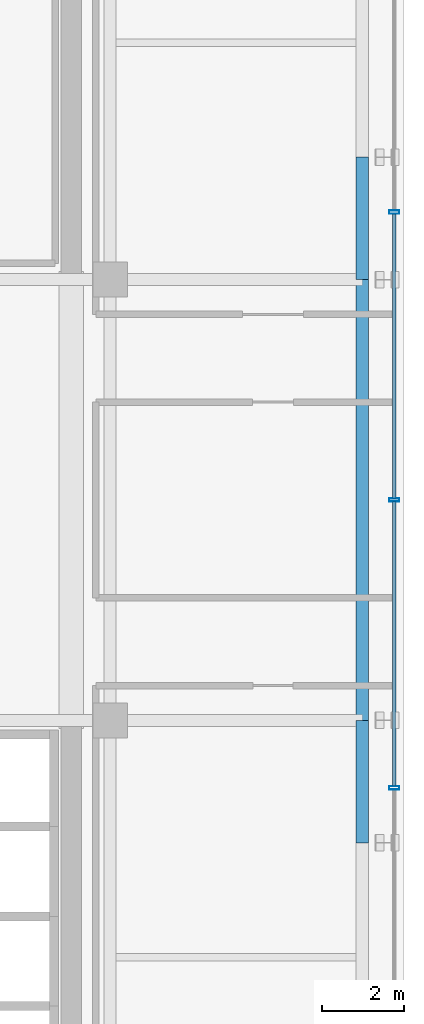
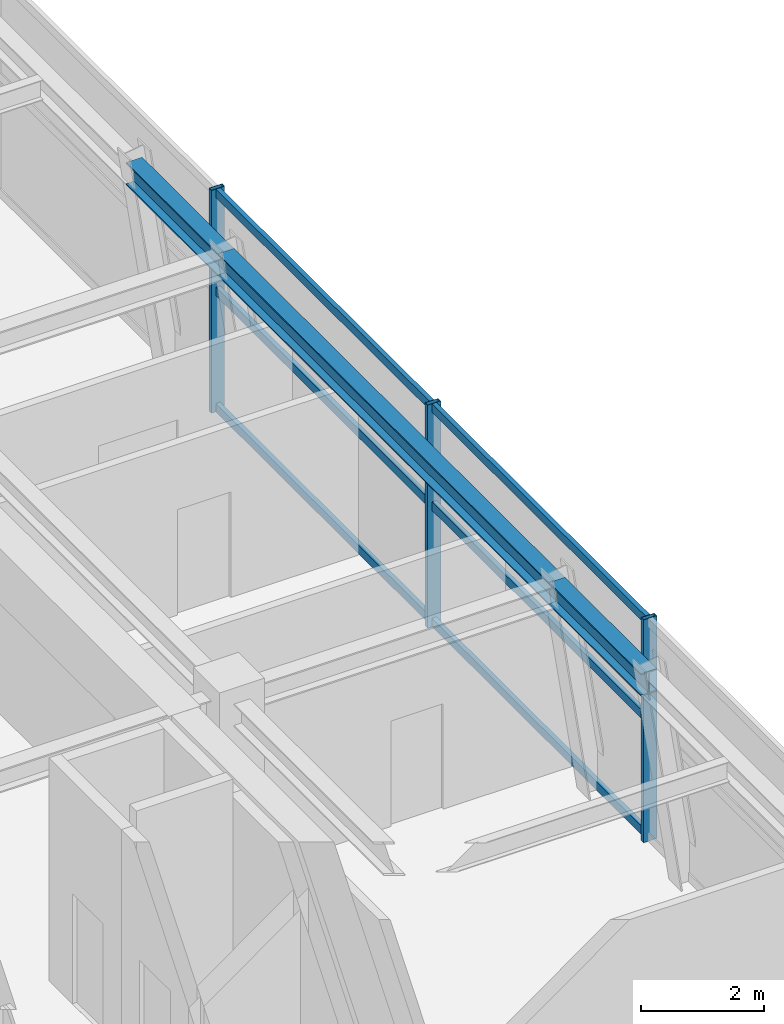
# One storey, part 12 of 28: 9 members, 3 beams, 1 element without a shape of its own.
"""IFC4 building model written with IfcOpenShell, lengths in metres."""

from ifc_helpers import new_model, si_unit, direction, frame, origin, origin_2d, place, context, subcontext, project, spatial, hollow_rectangle, i_section, extrude, source, transform, mapped, material, material_profile, profile_set, type_object, element, aggregate, save


model = new_model("IFC4")

# Units and contexts
model_context = context("Model", 3, precision=1e-05, world=origin(), true_north=direction((0.0, 1.0)))
body_context = subcontext(model_context, "Body", "Model", "MODEL_VIEW")
ifc_project = project(units=[si_unit("LENGTHUNIT", "METRE"), si_unit("AREAUNIT", "SQUARE_METRE"), si_unit("VOLUMEUNIT", "CUBIC_METRE"), si_unit("PLANEANGLEUNIT", "RADIAN"), si_unit("MASSUNIT", "GRAM", prefix="KILO")], contexts=[model_context])

# Site, building, storey
site_placement = place(None, origin())
site = spatial("IfcSite", under=ifc_project, at=site_placement, CompositionType="ELEMENT")
building_placement = place(site_placement, origin())
building = spatial("IfcBuilding", under=site, at=building_placement, Name="Nahalor Promenade Grand Hotel", CompositionType="ELEMENT")
storey_placement = place(building_placement, frame((0.0, 0.0, 256.699951171875)))
storey = spatial("IfcBuildingStorey", under=building, at=storey_placement, Name="L66", CompositionType="ELEMENT", Elevation=256.699951171875)

# Beams
ifc_material_1 = material(Name="Steel S355JR", Category="steel")
ifc_material_profile_1 = material_profile(ifc_material_1, i_section(OverallWidth=0.3, OverallDepth=0.45, WebThickness=0.014, FlangeThickness=0.026, at=origin_2d()), Name="HEB 450")
ifc_profile_set_1 = profile_set([ifc_material_profile_1], Name="Steel S355JR")
beam_type = type_object("IfcBeamType", Name="Beam-Spandrel-HEB450", PredefinedType="SPANDREL", material=ifc_profile_set_1)
shared_shape_1 = source(origin(), body_context, "Body", "SweptSolid", [
    extrude(i_section(OverallWidth=0.3, OverallDepth=0.45, WebThickness=0.014, FlangeThickness=0.026, at=origin_2d()), origin(), (0.0, 0.0, 1.0), 3.0),
])
for number, where, z_axis, x_axis, name in (
    (1, (23.179931640625, -8.39990234375, 4.215087890625), (0.0, 1.0, 0.0), (-1.0, 0.0, 0.0), "BM-L66-SP-E-1"),
    (2, (23.179931640625, 5.39990234375, 4.215087890625), (0.0, 1.0, 0.0), (-1.0, 0.0, 0.0), "BM-L66-SP-E-3"),
):
    element("IfcBeam", number, at=place(storey_placement, frame(where, z_axis=z_axis, x_axis=x_axis)), inside=storey, type_object=beam_type, Name=name, PredefinedType="SPANDREL", context=body_context, shape_type="MappedRepresentation", body=[
        mapped(shared_shape_1, transform((0.0, 0.0, 0.0), scale=1.0)),
    ])
shared_shape_2 = source(origin(), body_context, "Body", "SweptSolid", [
    extrude(i_section(OverallWidth=0.3, OverallDepth=0.45, WebThickness=0.014, FlangeThickness=0.026, at=origin_2d()), origin(), (0.0, 0.0, 1.0), 10.7998046875),
])
beam_placement = place(storey_placement, frame((23.179931640625, -5.39990234375, 4.215087890625), z_axis=(0.0, 1.0, 0.0), x_axis=(-1.0, 0.0, 0.0)))
element("IfcBeam", 3, at=beam_placement, inside=storey, type_object=beam_type, Name="BM-L66-SP-E-2", PredefinedType="SPANDREL", context=body_context, shape_type="MappedRepresentation", body=[
    mapped(shared_shape_2, transform((0.0, 0.0, 0.0), scale=1.0)),
])

# Curtain wall, members
ifc_material_2 = material(Name="Anodised Bronze Aluminium EN AW-6063 T6", Category="aluminium")
curtain_wall_type = type_object("IfcCurtainWallType", Name="CW5 Sky-Lobby & Observation Panoramic Curtain Wall", PredefinedType="USERDEFINED", material=ifc_material_2)
curtain_wall_placement = place(storey_placement, origin())
curtain_wall = element("IfcCurtainWall", 4, at=curtain_wall_placement, inside=storey, type_object=curtain_wall_type, Name="L66 Curtain Wall CW-L66-E-1", ObjectType="UNITISED_CURTAIN_WALL", PredefinedType="USERDEFINED")
ifc_material_profile_2 = material_profile(ifc_material_2, hollow_rectangle(XDim=0.085, YDim=0.25, WallThickness=0.006, at=origin_2d()), Name="CWM 85x250x6")
ifc_profile_set_2 = profile_set([ifc_material_profile_2], Name="Anodised Bronze Aluminium EN AW-6063 T6")
member_type_1 = type_object("IfcMemberType", Name="CWM5 Panoramic Deep Mullion 85x250", PredefinedType="MULLION", material=ifc_profile_set_2)
shared_shape_3 = source(origin(), body_context, "Body", "SweptSolid", [
    extrude(hollow_rectangle(XDim=0.085, YDim=0.25, WallThickness=0.006, at=origin_2d()), origin(), (0.0, 0.0, 1.0), 4.43994140625),
])
member_1_placement = place(storey_placement, frame((23.9599609375, -7.05322265625, 0.0), z_axis=(0.0, 0.0, 1.0), x_axis=(0.0, 1.0, 0.0)))
member_1 = element("IfcMember", 5, at=member_1_placement, type_object=member_type_1, Name="CW-L66-E-1 Mullion 2", PredefinedType="MULLION", context=body_context, shape_type="MappedRepresentation", body=[
    mapped(shared_shape_3, transform((0.0, 0.0, 0.0), scale=1.0)),
])
member_2_placement = place(storey_placement, frame((23.9599609375, 0.0, 0.0), z_axis=(0.0, 0.0, 1.0), x_axis=(0.0, 1.0, 0.0)))
member_2 = element("IfcMember", 6, at=member_2_placement, type_object=member_type_1, Name="CW-L66-E-1 Mullion 3", PredefinedType="MULLION", context=body_context, shape_type="MappedRepresentation", body=[
    mapped(shared_shape_3, transform((0.0, 0.0, 0.0), scale=1.0)),
])
member_3_placement = place(storey_placement, frame((23.9599609375, 7.05322265625, 0.0), z_axis=(0.0, 0.0, 1.0), x_axis=(0.0, 1.0, 0.0)))
member_3 = element("IfcMember", 7, at=member_3_placement, type_object=member_type_1, Name="CW-L66-E-1 Mullion 4", PredefinedType="MULLION", context=body_context, shape_type="MappedRepresentation", body=[
    mapped(shared_shape_3, transform((0.0, 0.0, 0.0), scale=1.0)),
])
ifc_material_profile_3 = material_profile(ifc_material_2, hollow_rectangle(XDim=0.085, YDim=0.17, WallThickness=0.005, at=origin_2d()), Name="CWT 85x170x5")
ifc_profile_set_3 = profile_set([ifc_material_profile_3], Name="Anodised Bronze Aluminium EN AW-6063 T6")
member_type_2 = type_object("IfcMemberType", Name="CWT5 Panoramic Transom 85x170", PredefinedType="USERDEFINED", material=ifc_profile_set_3)
shared_shape_4 = source(origin(), body_context, "Body", "SweptSolid", [
    extrude(hollow_rectangle(XDim=0.085, YDim=0.17, WallThickness=0.005, at=origin_2d()), origin(), (0.0, 0.0, 1.0), 6.96826171875),
])
member_4_placement = place(storey_placement, frame((23.9599609375, -7.0107421875, 0.0849609375), z_axis=(0.0, 1.0, 0.0), x_axis=(-1.0, 0.0, 0.0)))
member_4 = element("IfcMember", 8, at=member_4_placement, type_object=member_type_2, Name="CW-L66-E-1 Transom 2-0", ObjectType="TRANSOM", PredefinedType="USERDEFINED", context=body_context, shape_type="MappedRepresentation", body=[
    mapped(shared_shape_4, transform((0.0, 0.0, 0.0), scale=1.0)),
])
member_5_placement = place(storey_placement, frame((23.9599609375, -7.0107421875, 2.400146484375), z_axis=(0.0, 1.0, 0.0), x_axis=(-1.0, 0.0, 0.0)))
member_5 = element("IfcMember", 9, at=member_5_placement, type_object=member_type_2, Name="CW-L66-E-1 Transom 2-1", ObjectType="TRANSOM", PredefinedType="USERDEFINED", context=body_context, shape_type="MappedRepresentation", body=[
    mapped(shared_shape_4, transform((0.0, 0.0, 0.0), scale=1.0)),
])
member_6_placement = place(storey_placement, frame((23.9599609375, -7.0107421875, 4.35498046875), z_axis=(0.0, 1.0, 0.0), x_axis=(-1.0, 0.0, 0.0)))
member_6 = element("IfcMember", 10, at=member_6_placement, type_object=member_type_2, Name="CW-L66-E-1 Transom 2-2", ObjectType="TRANSOM", PredefinedType="USERDEFINED", context=body_context, shape_type="MappedRepresentation", body=[
    mapped(shared_shape_4, transform((0.0, 0.0, 0.0), scale=1.0)),
])
member_7_placement = place(storey_placement, frame((23.9599609375, 0.04248046875, 0.0849609375), z_axis=(0.0, 1.0, 0.0), x_axis=(-1.0, 0.0, 0.0)))
member_7 = element("IfcMember", 11, at=member_7_placement, type_object=member_type_2, Name="CW-L66-E-1 Transom 3-0", ObjectType="TRANSOM", PredefinedType="USERDEFINED", context=body_context, shape_type="MappedRepresentation", body=[
    mapped(shared_shape_4, transform((0.0, 0.0, 0.0), scale=1.0)),
])
member_8_placement = place(storey_placement, frame((23.9599609375, 0.04248046875, 2.400146484375), z_axis=(0.0, 1.0, 0.0), x_axis=(-1.0, 0.0, 0.0)))
member_8 = element("IfcMember", 12, at=member_8_placement, type_object=member_type_2, Name="CW-L66-E-1 Transom 3-1", ObjectType="TRANSOM", PredefinedType="USERDEFINED", context=body_context, shape_type="MappedRepresentation", body=[
    mapped(shared_shape_4, transform((0.0, 0.0, 0.0), scale=1.0)),
])
member_9_placement = place(storey_placement, frame((23.9599609375, 0.04248046875, 4.35498046875), z_axis=(0.0, 1.0, 0.0), x_axis=(-1.0, 0.0, 0.0)))
member_9 = element("IfcMember", 13, at=member_9_placement, type_object=member_type_2, Name="CW-L66-E-1 Transom 3-2", ObjectType="TRANSOM", PredefinedType="USERDEFINED", context=body_context, shape_type="MappedRepresentation", body=[
    mapped(shared_shape_4, transform((0.0, 0.0, 0.0), scale=1.0)),
])
aggregate(curtain_wall, [member_1, member_2, member_3, member_4, member_5, member_6, member_7, member_8, member_9])

save(model, "model.ifc")
